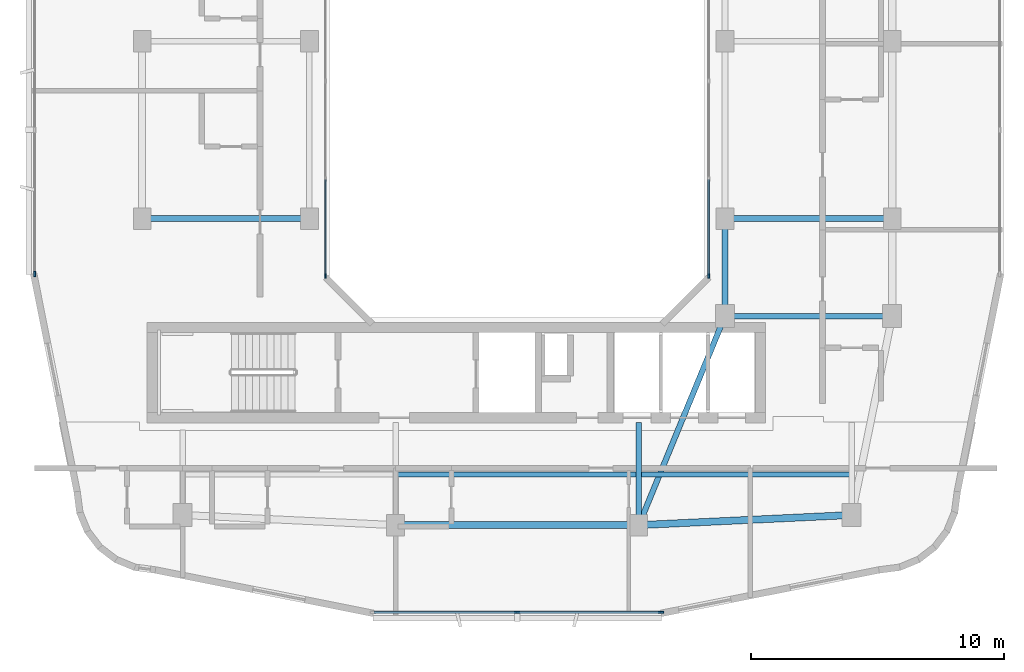
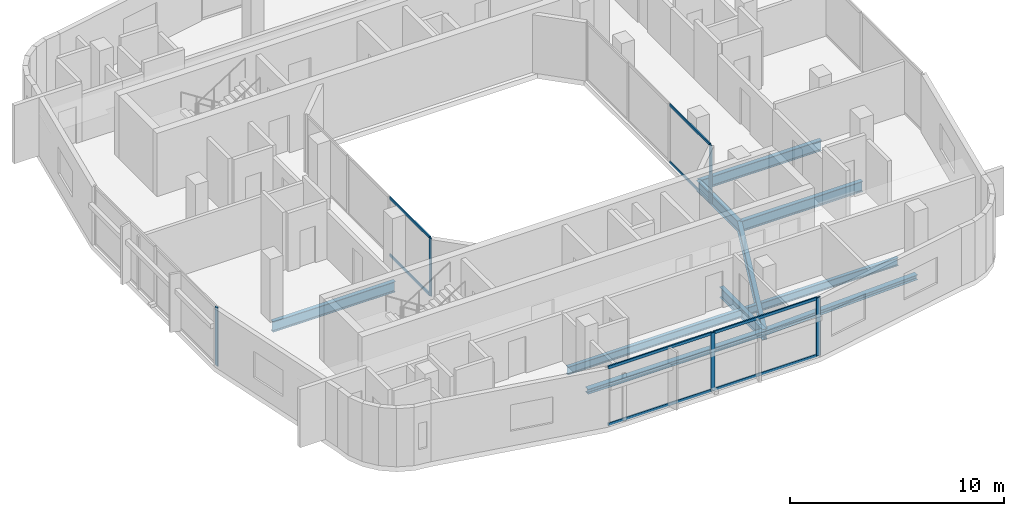
# One storey, part 2 of 14: 13 members, 10 beams, 4 elements without a shape of their own.
"""IFC4 building model written with IfcOpenShell, lengths in metres."""

import ifcopenshell
import ifcopenshell.guid

model = None  # the IFC model being written
_history = None  # IfcOwnerHistory: only IFC2X3 demands one
_inside = {}  # id of a spatial element -> (the spatial element, [elements in it])
_under = {}  # id of a project, library or spatial element -> (it, [spatial elements below it])
_declared = {}  # id of a project -> (the project, [libraries it declares])
_typed = {}  # id of a type object -> (the type object, [elements of that type])
_made_of = {}  # id of a material, layer set ... -> (it, [elements and type objects made of it])


def new_model(schema):
    """Start an empty IFC model of exactly this schema.

    Asked for "IFC4X3", IfcOpenShell would pick the latest addendum, in which some entities
    have other attributes; the version numbers below select the first issue.
    IFC2X3 requires an IfcOwnerHistory on every rooted entity: one is made here for all.
    """
    global model, _history
    if schema == "IFC4X3":
        model = ifcopenshell.file(schema_version=(4, 3, 0, 0))
    else:
        model = ifcopenshell.file(schema=schema)
    _inside.clear()
    _under.clear()
    _declared.clear()
    _typed.clear()
    _made_of.clear()
    _history = None
    if model.schema == "IFC2X3":
        org = make("IfcOrganization", Name="unknown")
        user = make(
            "IfcPersonAndOrganization",
            ThePerson=make("IfcPerson", FamilyName="unknown"),
            TheOrganization=org,
        )
        app = make(
            "IfcApplication",
            ApplicationDeveloper=org,
            Version="unknown",
            ApplicationFullName="unknown",
            ApplicationIdentifier="unknown",
        )
        _history = make(
            "IfcOwnerHistory",
            OwningUser=user,
            OwningApplication=app,
            ChangeAction="ADDED",
            CreationDate=0,
        )
    return model


def make(cls, **values):
    """One entity of the class cls with the attributes given. An attribute that is None is left unset."""
    return model.create_entity(
        cls, **{name: value for name, value in values.items() if value is not None}
    )


def rooted(cls, **values):
    """An entity with a GlobalId (a new one), such as an element, a storey or a relation."""
    return make(cls, GlobalId=ifcopenshell.guid.new(), OwnerHistory=_history, **values)


def si_unit(unit_type, name, prefix=None):
    """IfcSIUnit, for example si_unit("LENGTHUNIT", "METRE", prefix="MILLI")."""
    return make("IfcSIUnit", UnitType=unit_type, Prefix=prefix, Name=name)


def derived_unit(unit_type, elements):
    """IfcDerivedUnit: a product of units, each with its exponent."""
    return make(
        "IfcDerivedUnit",
        Elements=[
            make("IfcDerivedUnitElement", Unit=unit, Exponent=power)
            for unit, power in elements
        ],
        UnitType=unit_type,
    )


def assignment(units):
    """IfcUnitAssignment: the units of a project."""
    return None if units is None else make("IfcUnitAssignment", Units=units)


def point(xyz):
    """IfcCartesianPoint."""
    return None if xyz is None else make("IfcCartesianPoint", Coordinates=xyz)


def direction(xyz):
    """IfcDirection."""
    return None if xyz is None else make("IfcDirection", DirectionRatios=xyz)


def frame(location, z_axis=None, x_axis=None):
    """IfcAxis2Placement3D, a coordinate frame: its origin and axes. An axis left out is left unset."""
    return make(
        "IfcAxis2Placement3D",
        Location=point(location),
        Axis=direction(z_axis),
        RefDirection=direction(x_axis),
    )


def frame_2d(location, x_axis=None):
    """IfcAxis2Placement2D, a coordinate frame in the plane: its origin and x axis."""
    return make(
        "IfcAxis2Placement2D", Location=point(location), RefDirection=direction(x_axis)
    )


def origin():
    """The frame at (0, 0, 0) with its axes left unset."""
    return frame((0.0, 0.0, 0.0))


def origin_2d():
    """The frame at (0, 0) in the plane with its x axis left unset."""
    return frame_2d((0.0, 0.0))


def place(relative_to, where):
    """IfcLocalPlacement: puts the frame where relative to a parent placement (None: the world)."""
    return make(
        "IfcLocalPlacement", PlacementRelTo=relative_to, RelativePlacement=where
    )


def context(
    kind, dimensions, precision=None, world=None, true_north=None, identifier=None
):
    """IfcGeometricRepresentationContext, for example the 3D "Model" context."""
    return make(
        "IfcGeometricRepresentationContext",
        ContextIdentifier=identifier,
        ContextType=kind,
        CoordinateSpaceDimension=dimensions,
        Precision=precision,
        WorldCoordinateSystem=world,
        TrueNorth=true_north,
    )


def subcontext(parent, identifier, kind, view, scale=None):
    """IfcGeometricRepresentationSubContext, for example "Body" below "Model"."""
    return make(
        "IfcGeometricRepresentationSubContext",
        ContextIdentifier=identifier,
        ContextType=kind,
        ParentContext=parent,
        TargetScale=scale,
        TargetView=view,
    )


def project(units=None, contexts=None):
    """IfcProject with its units and contexts."""
    return rooted(
        "IfcProject",
        Name="project",
        RepresentationContexts=contexts,
        UnitsInContext=assignment(units),
    )


def spatial(cls, under=None, at=None, **own):
    """A site, building, storey or space (cls), placed at a placement, below another one or the project."""
    s = rooted(cls, ObjectPlacement=at, **own)
    if under is not None:
        _under.setdefault(under.id(), (under, []))[1].append(s)
    return s


def profile(cls, at=None, kind="AREA", **sizes):
    """A parametric profile (cls). Its sizes go by their IFC names, for example OverallWidth=200.0."""
    return make(cls, ProfileType=kind, Position=at, **sizes)


def rectangle(**sizes):
    """IfcRectangleProfileDef."""
    return profile("IfcRectangleProfileDef", **sizes)


def i_section(**sizes):
    """IfcIShapeProfileDef."""
    return profile("IfcIShapeProfileDef", **sizes)


def extrude(swept, where, along, depth):
    """IfcExtrudedAreaSolid: the profile swept, set in the frame where, extruded along a direction by depth."""
    return make(
        "IfcExtrudedAreaSolid",
        SweptArea=swept,
        Position=where,
        ExtrudedDirection=direction(along),
        Depth=depth,
    )


def shape(context_of_items, identifier, shape_type, items):
    """IfcShapeRepresentation: the items that make up one representation, for example the "Body"."""
    return make(
        "IfcShapeRepresentation",
        ContextOfItems=context_of_items,
        RepresentationIdentifier=identifier,
        RepresentationType=shape_type,
        Items=items,
    )


def material(Name=None, Category=None):
    """IfcMaterial."""
    return make("IfcMaterial", Name=Name, Category=Category)


def layer(
    of_material, thickness, ventilated=None, Name=None, Category=None, Priority=None
):
    """IfcMaterialLayer: one layer of a wall or slab, of a material (None: an air gap)."""
    return make(
        "IfcMaterialLayer",
        Material=of_material,
        LayerThickness=thickness,
        IsVentilated=ventilated,
        Name=Name,
        Category=Category,
        Priority=Priority,
    )


def layer_set(layers, Name=None):
    """IfcMaterialLayerSet."""
    return make("IfcMaterialLayerSet", MaterialLayers=layers, LayerSetName=Name)


def material_profile(
    of_material, cross_section, Name=None, Category=None, Priority=None
):
    """IfcMaterialProfile: a cross section and its material."""
    return make(
        "IfcMaterialProfile",
        Name=Name,
        Material=of_material,
        Profile=cross_section,
        Priority=Priority,
        Category=Category,
    )


def profile_set(profiles, Name=None, composite=None):
    """IfcMaterialProfileSet."""
    return make(
        "IfcMaterialProfileSet",
        Name=Name,
        MaterialProfiles=profiles,
        CompositeProfile=composite,
    )


def made_of(thing, what):
    """Note that an element or type object is made of a material, layer set ...; save() writes the relation."""
    if what is not None:
        _made_of.setdefault(what.id(), (what, []))[1].append(thing)
    return thing


def type_object(cls, material=None, **own):
    """A type object (cls), such as IfcWallType, which elements share."""
    return made_of(rooted(cls, **own), material)


def element(
    cls,
    number,
    at=None,
    inside=None,
    cuts=None,
    type_object=None,
    material=None,
    context=None,
    identifier="Body",
    shape_type=None,
    held_by="IfcProductDefinitionShape",
    body=None,
    shapes=None,
    **own,
):
    """One element of the class cls, such as IfcWall. Its Tag is "e" and its number.

    at: its placement. inside: the storey or other place that contains it. cuts: it is an
    opening in that element (IfcRelVoidsElement). A single representation is given by context,
    identifier, shape_type and body (its items); several are given by shapes. held_by: the class
    of the entity that holds the representations. save() writes the other relations.
    """
    e = rooted(cls, Tag="e%d" % number, ObjectPlacement=at, **own)
    if body is not None:
        shapes = [shape(context, identifier, shape_type, body)]
    if shapes is not None:
        e.Representation = make(held_by, Representations=shapes)
    if inside is not None:
        _inside.setdefault(inside.id(), (inside, []))[1].append(e)
    if cuts is not None:
        rooted(
            "IfcRelVoidsElement", RelatingBuildingElement=cuts, RelatedOpeningElement=e
        )
    if type_object is not None:
        _typed.setdefault(type_object.id(), (type_object, []))[1].append(e)
    return made_of(e, material)


def aggregate(whole, parts):
    """IfcRelAggregates: a whole, such as a stair, and the parts it consists of."""
    return rooted("IfcRelAggregates", RelatingObject=whole, RelatedObjects=parts)


def save(model, path):
    """Write the relations noted so far, then the file.

    IfcRelAggregates (storeys below a building ...), IfcRelContainedInSpatialStructure (elements
    in a storey), IfcRelDefinesByType, IfcRelAssociatesMaterial and IfcRelDeclares: one each for
    every whole, place, type object, material and project.
    """
    for whole, parts in _under.values():
        aggregate(whole, parts)
    for where, things in _inside.values():
        rooted(
            "IfcRelContainedInSpatialStructure",
            RelatedElements=things,
            RelatingStructure=where,
        )
    for kind, things in _typed.values():
        rooted("IfcRelDefinesByType", RelatedObjects=things, RelatingType=kind)
    for what, things in _made_of.values():
        rooted("IfcRelAssociatesMaterial", RelatedObjects=things, RelatingMaterial=what)
    for by, libraries in _declared.values():
        rooted("IfcRelDeclares", RelatingContext=by, RelatedDefinitions=libraries)
    model.write(path)


model = new_model("IFC4")

# Units and contexts
model_context = context("Model", 3, precision=1e-05, world=origin(), true_north=direction((0.0, 1.0)))
body_context = subcontext(model_context, "Body", "Model", "MODEL_VIEW")
ifc_project = project(units=[si_unit("LENGTHUNIT", "METRE"), si_unit("AREAUNIT", "SQUARE_METRE"), si_unit("VOLUMEUNIT", "CUBIC_METRE"), si_unit("PLANEANGLEUNIT", "RADIAN"), si_unit("MASSUNIT", "GRAM", prefix="KILO"), derived_unit("THERMALTRANSMITTANCEUNIT", [(si_unit("POWERUNIT", "WATT"), 1), (si_unit("LENGTHUNIT", "METRE"), -2), (si_unit("THERMODYNAMICTEMPERATUREUNIT", "KELVIN"), -1)])], contexts=[model_context])

# Site, building, storey
site_placement = place(None, origin())
site = spatial("IfcSite", under=ifc_project, at=site_placement, CompositionType="ELEMENT")
building_placement = place(site_placement, origin())
building = spatial("IfcBuilding", under=site, at=building_placement, Name="Kivonza Crest Hotel", CompositionType="ELEMENT")
storey_placement = place(building_placement, frame((0.0, 0.0, 206.300048828125)))
storey = spatial("IfcBuildingStorey", under=building, at=storey_placement, Name="L56", CompositionType="ELEMENT", Elevation=206.300048828125)

# Beams
ifc_material_1 = material(Name="Steel S355", Category="steel")
ifc_material_profile_1 = material_profile(ifc_material_1, i_section(OverallWidth=0.280029296875, OverallDepth=0.280029296875, WebThickness=0.010498046875, FlangeThickness=0.01806640625, FilletRadius=0.02392578125, at=origin_2d()), Name="HEB 280")
ifc_profile_set_1 = profile_set([ifc_material_profile_1], Name="Steel S355")
beam_type_1 = type_object("IfcBeamType", Name="BM-HEB280", PredefinedType="SPANDREL", material=ifc_profile_set_1)
beam_1_placement = place(storey_placement, frame((16.199951171875, 9.39990234375, -0.420166015625), z_axis=(1.0, 0.0, 0.0), x_axis=(0.0, 1.0, 0.0)))
element("IfcBeam", 1, at=beam_1_placement, inside=storey, type_object=beam_type_1, Name="Tower T1 L56 perimeter spandrel S1-S2", PredefinedType="SPANDREL", context=body_context, shape_type="SweptSolid", body=[
    extrude(i_section(OverallWidth=0.280029296875, OverallDepth=0.280029296875, WebThickness=0.010498046875, FlangeThickness=0.01806640625, FilletRadius=0.02392578125, at=origin_2d()), origin(), (0.0, 0.0, 1.0), 9.60009765625),
])
beam_2_placement = place(storey_placement, frame((25.800048828125, 9.39990234375, -0.420166015625), z_axis=(0.998867283688, 0.047583080799, 0.0), x_axis=(-0.047583080799, 0.998867283688, 0.0)))
element("IfcBeam", 2, at=beam_2_placement, inside=storey, type_object=beam_type_1, Name="Tower T1 L56 perimeter spandrel S2-SE", PredefinedType="SPANDREL", context=body_context, shape_type="SweptSolid", body=[
    extrude(i_section(OverallWidth=0.280029296875, OverallDepth=0.280029296875, WebThickness=0.010498046875, FlangeThickness=0.01806640625, FilletRadius=0.02392578125, at=origin_2d()), origin(), (0.0, 0.0, 1.0), 8.409423828125),
])
ifc_material_profile_2 = material_profile(ifc_material_1, i_section(OverallWidth=0.18994140625, OverallDepth=0.449951171875, WebThickness=0.009521484375, FlangeThickness=0.0146484375, FilletRadius=0.02099609375, at=origin_2d()), Name="IPE 450")
ifc_profile_set_2 = profile_set([ifc_material_profile_2], Name="Steel S355")
beam_type_2 = type_object("IfcBeamType", Name="BM-IPE450", PredefinedType="JOIST", material=ifc_profile_set_2)
beam_3_placement = place(storey_placement, frame((16.280029296875, 11.39990234375, -0.505126953125), z_axis=(1.0, 0.0, 0.0), x_axis=(0.0, 1.0, 0.0)))
element("IfcBeam", 3, at=beam_3_placement, inside=storey, type_object=beam_type_2, Name="Tower T1 L56 South-Mid floor joist", PredefinedType="JOIST", context=body_context, shape_type="SweptSolid", body=[
    extrude(i_section(OverallWidth=0.18994140625, OverallDepth=0.449951171875, WebThickness=0.009521484375, FlangeThickness=0.0146484375, FilletRadius=0.02099609375, at=origin_2d()), origin(), (0.0, 0.0, 1.0), 9.43994140625),
])
beam_4_placement = place(storey_placement, frame((25.8798828125, 11.39990234375, -0.505126953125), z_axis=(1.0, 0.0, 0.0), x_axis=(0.0, 1.0, 0.0)))
element("IfcBeam", 4, at=beam_4_placement, inside=storey, type_object=beam_type_2, Name="Tower T1 L56 South-East floor joist", PredefinedType="JOIST", context=body_context, shape_type="SweptSolid", body=[
    extrude(i_section(OverallWidth=0.18994140625, OverallDepth=0.449951171875, WebThickness=0.009521484375, FlangeThickness=0.0146484375, FilletRadius=0.02099609375, at=origin_2d()), origin(), (0.0, 0.0, 1.0), 8.240234375),
])
ifc_material_profile_3 = material_profile(ifc_material_1, i_section(OverallWidth=0.219970703125, OverallDepth=0.60009765625, WebThickness=0.011962890625, FlangeThickness=0.01904296875, FilletRadius=0.02392578125, at=origin_2d()), Name="IPE 600")
ifc_profile_set_3 = profile_set([ifc_material_profile_3], Name="Steel S355")
beam_type_3 = type_object("IfcBeamType", Name="BM-IPE600", PredefinedType="BEAM", material=ifc_profile_set_3)
beam_5_placement = place(storey_placement, frame((6.199951171875, 21.5, -0.580078125), z_axis=(1.0, 0.0, 0.0), x_axis=(0.0, 1.0, 0.0)))
element("IfcBeam", 5, at=beam_5_placement, inside=storey, type_object=beam_type_3, Name="Tower T1 L56 primary girder W1-WL1", PredefinedType="BEAM", context=body_context, shape_type="SweptSolid", body=[
    extrude(i_section(OverallWidth=0.219970703125, OverallDepth=0.60009765625, WebThickness=0.011962890625, FlangeThickness=0.01904296875, FilletRadius=0.02392578125, at=origin_2d()), origin(), (0.0, 0.0, 1.0), 6.60009765625),
])
beam_6_placement = place(storey_placement, frame((25.800048828125, 9.39990234375, -0.580078125), z_axis=(0.381022260404, 0.924565864109, 0.0), x_axis=(-0.924565864109, 0.381022260404, 0.0)))
element("IfcBeam", 6, at=beam_6_placement, inside=storey, type_object=beam_type_3, Name="Tower T1 L56 primary girder S1-TSE", PredefinedType="BEAM", context=body_context, shape_type="SweptSolid", body=[
    extrude(i_section(OverallWidth=0.219970703125, OverallDepth=0.60009765625, WebThickness=0.011962890625, FlangeThickness=0.01904296875, FilletRadius=0.02392578125, at=origin_2d()), origin(), (0.0, 0.0, 1.0), 8.923095703125),
])
beam_7_placement = place(storey_placement, frame((29.199951171875, 17.64990234375, -0.580078125), z_axis=(1.0, 0.0, 0.0), x_axis=(0.0, 1.0, 0.0)))
element("IfcBeam", 7, at=beam_7_placement, inside=storey, type_object=beam_type_3, Name="Tower T1 L56 primary girder TSE-PSE", PredefinedType="BEAM", context=body_context, shape_type="SweptSolid", body=[
    extrude(i_section(OverallWidth=0.219970703125, OverallDepth=0.60009765625, WebThickness=0.011962890625, FlangeThickness=0.01904296875, FilletRadius=0.02392578125, at=origin_2d()), origin(), (0.0, 0.0, 1.0), 6.60009765625),
])
beam_8_placement = place(storey_placement, frame((29.199951171875, 17.64990234375, -0.580078125), z_axis=(0.0, 1.0, 0.0), x_axis=(-1.0, 0.0, 0.0)))
element("IfcBeam", 8, at=beam_8_placement, inside=storey, type_object=beam_type_3, Name="Tower T1 L56 primary girder TSE-WR1", PredefinedType="BEAM", context=body_context, shape_type="SweptSolid", body=[
    extrude(i_section(OverallWidth=0.219970703125, OverallDepth=0.60009765625, WebThickness=0.011962890625, FlangeThickness=0.01904296875, FilletRadius=0.02392578125, at=origin_2d()), origin(), (0.0, 0.0, 1.0), 3.85009765625),
])
beam_9_placement = place(storey_placement, frame((29.199951171875, 21.5, -0.580078125), z_axis=(1.0, 0.0, 0.0), x_axis=(0.0, 1.0, 0.0)))
element("IfcBeam", 9, at=beam_9_placement, inside=storey, type_object=beam_type_3, Name="Tower T1 L56 primary girder WR1-E1", PredefinedType="BEAM", context=body_context, shape_type="SweptSolid", body=[
    extrude(i_section(OverallWidth=0.219970703125, OverallDepth=0.60009765625, WebThickness=0.011962890625, FlangeThickness=0.01904296875, FilletRadius=0.02392578125, at=origin_2d()), origin(), (0.0, 0.0, 1.0), 6.60009765625),
])
beam_10_placement = place(storey_placement, frame((25.800048828125, 9.39990234375, -0.580078125), z_axis=(0.0, 1.0, 0.0), x_axis=(-1.0, 0.0, 0.0)))
element("IfcBeam", 10, at=beam_10_placement, inside=storey, type_object=beam_type_3, Name="Tower T1 L56 radial core girder RS2", PredefinedType="BEAM", context=body_context, shape_type="SweptSolid", body=[
    extrude(i_section(OverallWidth=0.219970703125, OverallDepth=0.60009765625, WebThickness=0.011962890625, FlangeThickness=0.01904296875, FilletRadius=0.02392578125, at=origin_2d()), origin(), (0.0, 0.0, 1.0), 4.050048828125),
])

# Curtain wall, member
ifc_material_2 = material(Name="Anodised bronze aluminium and low-E double glazing", Category="aluminium")
ifc_layer_1 = layer(ifc_material_2, 0.159912109375)
ifc_layer_set_1 = layer_set([ifc_layer_1], Name="Anodised bronze aluminium and low-E double glazing")
curtain_wall_type_1 = type_object("IfcCurtainWallType", Name="CW-SYS-5", PredefinedType="NOTDEFINED", material=ifc_layer_set_1)
curtain_wall_1_placement = place(storey_placement, origin())
curtain_wall_1 = element("IfcCurtainWall", 11, at=curtain_wall_1_placement, inside=storey, type_object=curtain_wall_type_1, Name="L56 unitised curtain wall CW-WELL-T1-L56-3", PredefinedType="NOTDEFINED")
ifc_material_3 = material(Name="Anodised bronze aluminium", Category="aluminium")
ifc_material_profile_4 = material_profile(ifc_material_3, rectangle(XDim=0.06494140625, YDim=0.179931640625, at=origin_2d()), Name="CW-M 65x180")
ifc_profile_set_4 = profile_set([ifc_material_profile_4], Name="Anodised bronze aluminium")
member_type_1 = type_object("IfcMemberType", Name="CW-MUL-65x180", PredefinedType="MULLION", material=ifc_profile_set_4)
member_1_placement = place(storey_placement, frame((28.56005859375, 19.232421875, 0.0), z_axis=(0.0, 0.0, 1.0), x_axis=(-1.0, 0.0, 0.0)))
member_1 = element("IfcMember", 12, at=member_1_placement, type_object=member_type_1, Name="CW-5 mullion 1", PredefinedType="MULLION", context=body_context, shape_type="SweptSolid", body=[
    extrude(rectangle(XDim=0.06494140625, YDim=0.179931640625, at=origin_2d()), origin(), (0.0, 0.0, 1.0), 3.320068359375),
])

curtain_wall_2_placement = place(storey_placement, origin())
curtain_wall_2 = element("IfcCurtainWall", 13, at=curtain_wall_2_placement, inside=storey, type_object=curtain_wall_type_1, Name="L56 unitised curtain wall CW-WELL-T1-L56-7", PredefinedType="NOTDEFINED")
member_2_placement = place(storey_placement, frame((13.43994140625, 19.232421875, 0.0), z_axis=(0.0, 0.0, 1.0), x_axis=(1.0, 0.0, 0.0)))
member_2 = element("IfcMember", 14, at=member_2_placement, type_object=member_type_1, Name="CW-5 mullion 4", PredefinedType="MULLION", context=body_context, shape_type="SweptSolid", body=[
    extrude(rectangle(XDim=0.06494140625, YDim=0.179931640625, at=origin_2d()), origin(), (0.0, 0.0, 1.0), 3.320068359375),
])

# Curtain wall, members
ifc_layer_2 = layer(ifc_material_2, 0.179931640625)
ifc_layer_set_2 = layer_set([ifc_layer_2], Name="Anodised bronze aluminium and low-E double glazing")
curtain_wall_type_2 = type_object("IfcCurtainWallType", Name="CW-SYS-3", PredefinedType="NOTDEFINED", material=ifc_layer_set_2)
curtain_wall_3_placement = place(storey_placement, origin())
curtain_wall_3 = element("IfcCurtainWall", 15, at=curtain_wall_3_placement, inside=storey, type_object=curtain_wall_type_2, Name="L56 unitised curtain wall CW-T1-L56-08", PredefinedType="NOTDEFINED")
ifc_material_profile_5 = material_profile(ifc_material_3, rectangle(XDim=0.074951171875, YDim=0.219970703125, at=origin_2d()), Name="CW-M 75x220")
ifc_profile_set_5 = profile_set([ifc_material_profile_5], Name="Anodised bronze aluminium")
member_type_2 = type_object("IfcMemberType", Name="CW-MUL-75x220", PredefinedType="MULLION", material=ifc_profile_set_5)
member_3_placement = place(storey_placement, frame((21.0, 5.9599609375, 0.0), z_axis=(0.0, 0.0, 1.0), x_axis=(0.0, 1.0, 0.0)))
member_3 = element("IfcMember", 16, at=member_3_placement, type_object=member_type_2, Name="CW-3 mullion 2", PredefinedType="MULLION", context=body_context, shape_type="SweptSolid", body=[
    extrude(rectangle(XDim=0.074951171875, YDim=0.219970703125, at=origin_2d()), origin(), (0.0, 0.0, 1.0), 3.320068359375),
])
member_4_placement = place(storey_placement, frame((26.6826171875, 5.9599609375, 0.0), z_axis=(0.0, 0.0, 1.0), x_axis=(0.0, 1.0, 0.0)))
member_4 = element("IfcMember", 17, at=member_4_placement, type_object=member_type_2, Name="CW-3 mullion 3", PredefinedType="MULLION", context=body_context, shape_type="SweptSolid", body=[
    extrude(rectangle(XDim=0.074951171875, YDim=0.219970703125, at=origin_2d()), origin(), (0.0, 0.0, 1.0), 3.320068359375),
])

# Curtain wall, member
curtain_wall_4_placement = place(storey_placement, origin())
curtain_wall_4 = element("IfcCurtainWall", 18, at=curtain_wall_4_placement, inside=storey, type_object=curtain_wall_type_2, Name="L56 unitised curtain wall CW-T1-L56-35", PredefinedType="NOTDEFINED")
member_5_placement = place(storey_placement, frame((1.9599609375, 19.3173828125, 0.0), z_axis=(0.0, 0.0, 1.0), x_axis=(1.0, 0.0, 0.0)))
member_5 = element("IfcMember", 19, at=member_5_placement, type_object=member_type_2, Name="CW-3 mullion 3", PredefinedType="MULLION", context=body_context, shape_type="SweptSolid", body=[
    extrude(rectangle(XDim=0.074951171875, YDim=0.219970703125, at=origin_2d()), origin(), (0.0, 0.0, 1.0), 3.320068359375),
])
aggregate(curtain_wall_4, [member_5])

# Member
ifc_material_profile_6 = material_profile(ifc_material_3, rectangle(XDim=0.06494140625, YDim=0.139892578125, at=origin_2d()), Name="CW-T 65x140")
ifc_profile_set_6 = profile_set([ifc_material_profile_6], Name="Anodised bronze aluminium")
member_type_3 = type_object("IfcMemberType", Name="CW-TRN-65x140", PredefinedType="USERDEFINED", material=ifc_profile_set_6)
member_6_placement = place(storey_placement, frame((28.56005859375, 19.264892578125, 0.032470703125), z_axis=(0.0, 1.0, 0.0), x_axis=(-1.0, 0.0, 0.0)))
member_6 = element("IfcMember", 20, at=member_6_placement, type_object=member_type_3, Name="CW-5 transom 1.1", ObjectType="TRANSOM", PredefinedType="USERDEFINED", context=body_context, shape_type="SweptSolid", body=[
    extrude(rectangle(XDim=0.06494140625, YDim=0.139892578125, at=origin_2d()), origin(), (0.0, 0.0, 1.0), 3.769287109375),
])

member_7_placement = place(storey_placement, frame((28.56005859375, 19.264892578125, 3.287353515625), z_axis=(0.0, 1.0, 0.0), x_axis=(-1.0, 0.0, 0.0)))
member_7 = element("IfcMember", 21, at=member_7_placement, type_object=member_type_3, Name="CW-5 transom 1.2", ObjectType="TRANSOM", PredefinedType="USERDEFINED", context=body_context, shape_type="SweptSolid", body=[
    extrude(rectangle(XDim=0.06494140625, YDim=0.139892578125, at=origin_2d()), origin(), (0.0, 0.0, 1.0), 3.769287109375),
])

aggregate(curtain_wall_1, [member_1, member_6, member_7])

member_8_placement = place(storey_placement, frame((13.43994140625, 23.0341796875, 0.032470703125), z_axis=(0.0, -1.0, 0.0), x_axis=(1.0, 0.0, 0.0)))
member_8 = element("IfcMember", 22, at=member_8_placement, type_object=member_type_3, Name="CW-5 transom 3.1", ObjectType="TRANSOM", PredefinedType="USERDEFINED", context=body_context, shape_type="SweptSolid", body=[
    extrude(rectangle(XDim=0.06494140625, YDim=0.139892578125, at=origin_2d()), origin(), (0.0, 0.0, 1.0), 3.769287109375),
])

member_9_placement = place(storey_placement, frame((13.43994140625, 23.0341796875, 3.287353515625), z_axis=(0.0, -1.0, 0.0), x_axis=(1.0, 0.0, 0.0)))
member_9 = element("IfcMember", 23, at=member_9_placement, type_object=member_type_3, Name="CW-5 transom 3.2", ObjectType="TRANSOM", PredefinedType="USERDEFINED", context=body_context, shape_type="SweptSolid", body=[
    extrude(rectangle(XDim=0.06494140625, YDim=0.139892578125, at=origin_2d()), origin(), (0.0, 0.0, 1.0), 3.769287109375),
])

aggregate(curtain_wall_2, [member_2, member_8, member_9])

ifc_material_profile_7 = material_profile(ifc_material_3, rectangle(XDim=0.074951171875, YDim=0.159912109375, at=origin_2d()), Name="CW-T 75x160")
ifc_profile_set_7 = profile_set([ifc_material_profile_7], Name="Anodised bronze aluminium")
member_type_4 = type_object("IfcMemberType", Name="CW-TRN-75x160", PredefinedType="USERDEFINED", material=ifc_profile_set_7)
member_10_placement = place(storey_placement, frame((15.35498046875, 5.9599609375, 0.037353515625), z_axis=(1.0, 0.0, 0.0), x_axis=(0.0, 1.0, 0.0)))
member_10 = element("IfcMember", 24, at=member_10_placement, type_object=member_type_4, Name="CW-3 transom 1.1", ObjectType="TRANSOM", PredefinedType="USERDEFINED", context=body_context, shape_type="SweptSolid", body=[
    extrude(rectangle(XDim=0.074951171875, YDim=0.159912109375, at=origin_2d()), origin(), (0.0, 0.0, 1.0), 5.607421875),
])

member_11_placement = place(storey_placement, frame((15.35498046875, 5.9599609375, 3.282470703125), z_axis=(1.0, 0.0, 0.0), x_axis=(0.0, 1.0, 0.0)))
member_11 = element("IfcMember", 25, at=member_11_placement, type_object=member_type_4, Name="CW-3 transom 1.2", ObjectType="TRANSOM", PredefinedType="USERDEFINED", context=body_context, shape_type="SweptSolid", body=[
    extrude(rectangle(XDim=0.074951171875, YDim=0.159912109375, at=origin_2d()), origin(), (0.0, 0.0, 1.0), 5.607421875),
])

member_12_placement = place(storey_placement, frame((21.03759765625, 5.9599609375, 0.037353515625), z_axis=(1.0, 0.0, 0.0), x_axis=(0.0, 1.0, 0.0)))
member_12 = element("IfcMember", 26, at=member_12_placement, type_object=member_type_4, Name="CW-3 transom 2.1", ObjectType="TRANSOM", PredefinedType="USERDEFINED", context=body_context, shape_type="SweptSolid", body=[
    extrude(rectangle(XDim=0.074951171875, YDim=0.159912109375, at=origin_2d()), origin(), (0.0, 0.0, 1.0), 5.607421875),
])

member_13_placement = place(storey_placement, frame((21.03759765625, 5.9599609375, 3.282470703125), z_axis=(1.0, 0.0, 0.0), x_axis=(0.0, 1.0, 0.0)))
member_13 = element("IfcMember", 27, at=member_13_placement, type_object=member_type_4, Name="CW-3 transom 2.2", ObjectType="TRANSOM", PredefinedType="USERDEFINED", context=body_context, shape_type="SweptSolid", body=[
    extrude(rectangle(XDim=0.074951171875, YDim=0.159912109375, at=origin_2d()), origin(), (0.0, 0.0, 1.0), 5.607421875),
])

aggregate(curtain_wall_3, [member_3, member_4, member_10, member_11, member_12, member_13])

save(model, "model.ifc")
